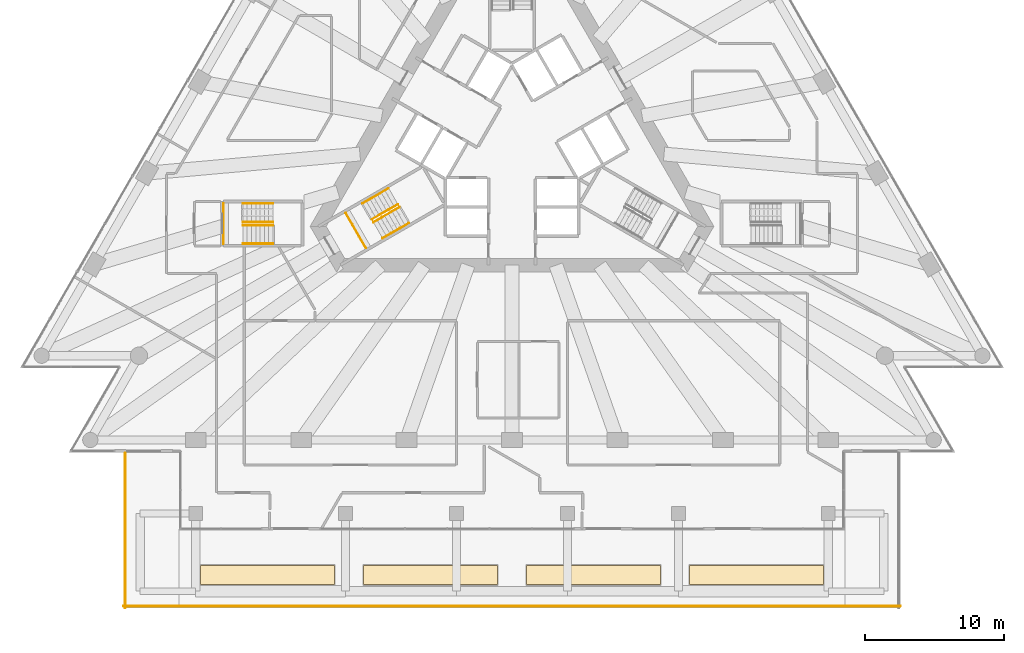
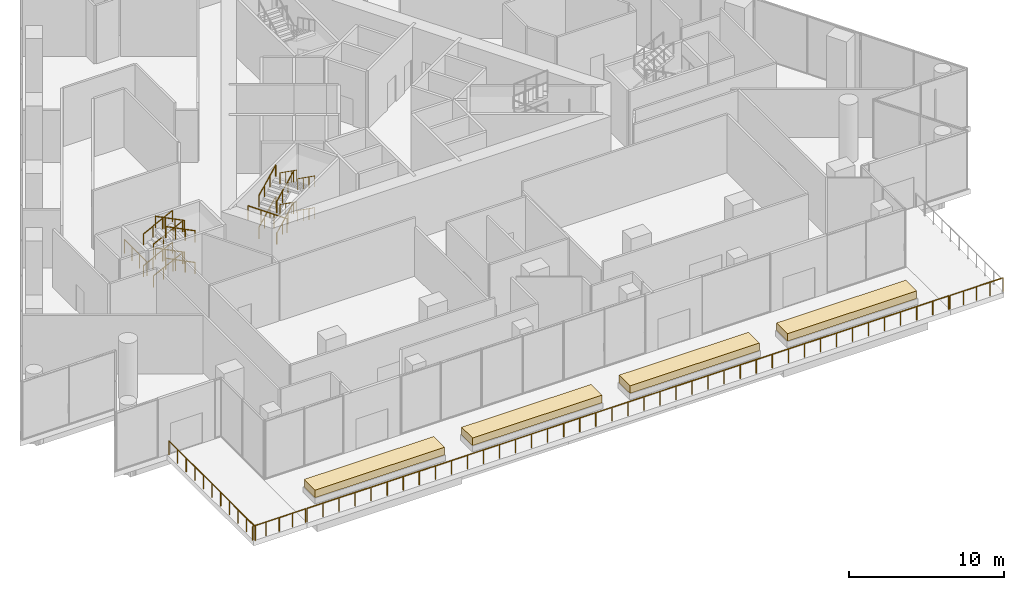
# One storey, part 31 of 32: 22 railings, 4 coverings, 2 elements without a shape of their own.
"""IFC4 building model written with IfcOpenShell, lengths in metres."""

from ifc_helpers import new_model, si_unit, direction, frame, origin, origin_2d, place, context, subcontext, project, spatial, polyline, circle, outline, extrude, material, layer, layer_set, type_object, element, aggregate, save


model = new_model("IFC4")

# Units and contexts
model_context = context("Model", 3, precision=1e-05, world=origin(), true_north=direction((0.0, 1.0)))
body_context = subcontext(model_context, "Body", "Model", "MODEL_VIEW")
ifc_project = project(units=[si_unit("LENGTHUNIT", "METRE"), si_unit("AREAUNIT", "SQUARE_METRE"), si_unit("VOLUMEUNIT", "CUBIC_METRE"), si_unit("PLANEANGLEUNIT", "RADIAN"), si_unit("MASSUNIT", "GRAM", prefix="KILO")], contexts=[model_context])

# Site, building, storey
site_placement = place(None, origin())
site = spatial("IfcSite", under=ifc_project, at=site_placement, CompositionType="ELEMENT")
building_placement = place(site_placement, origin())
building = spatial("IfcBuilding", under=site, at=building_placement, Name="Triada Interchange Tower", CompositionType="ELEMENT")
storey_placement = place(building_placement, frame((0.0, 0.0, 25.300048828125)))
storey = spatial("IfcBuildingStorey", under=building, at=storey_placement, Name="L04", CompositionType="ELEMENT", Elevation=25.300048828125)

# Coverings
ifc_material_1 = material(Name="Planting soil")
ifc_layer = layer(ifc_material_1, 0.60009765625)
ifc_layer_set = layer_set([ifc_layer], Name="Planting bed 600")
covering_type = type_object("IfcCoveringType", Name="Planting bed 600", PredefinedType="FLOORING", material=ifc_layer_set)
covering_1_placement = place(storey_placement, frame((0.0, 0.0, 0.449951171875)))
element("IfcCovering", 1, at=covering_1_placement, inside=storey, type_object=covering_type, Name="Planting bed PLANTER L04 16", PredefinedType="FLOORING", context=body_context, shape_type="SweptSolid", body=[
    extrude(outline(polyline([(-22.449951171875, -32.030029296875), (-12.800048828125, -32.030029296875), (-12.800048828125, -30.6298828125), (-22.449951171875, -30.6298828125), (-22.449951171875, -32.030029296875)])), origin(), (0.0, 0.0, 1.0), 0.60009765625),
])
covering_2_placement = place(storey_placement, frame((0.0, 0.0, 0.449951171875)))
element("IfcCovering", 2, at=covering_2_placement, inside=storey, type_object=covering_type, Name="Planting bed PLANTER L04 17", PredefinedType="FLOORING", context=body_context, shape_type="SweptSolid", body=[
    extrude(outline(polyline([(-10.699951171875, -32.030029296875), (-1.050048828125, -32.030029296875), (-1.050048828125, -30.6298828125), (-10.699951171875, -30.6298828125), (-10.699951171875, -32.030029296875)])), origin(), (0.0, 0.0, 1.0), 0.60009765625),
])
covering_3_placement = place(storey_placement, frame((0.0, 0.0, 0.449951171875)))
element("IfcCovering", 3, at=covering_3_placement, inside=storey, type_object=covering_type, Name="Planting bed PLANTER L04 18", PredefinedType="FLOORING", context=body_context, shape_type="SweptSolid", body=[
    extrude(outline(polyline([(1.050048828125, -32.030029296875), (10.699951171875, -32.030029296875), (10.699951171875, -30.6298828125), (1.050048828125, -30.6298828125), (1.050048828125, -32.030029296875)])), origin(), (0.0, 0.0, 1.0), 0.60009765625),
])
covering_4_placement = place(storey_placement, frame((0.0, 0.0, 0.449951171875)))
element("IfcCovering", 4, at=covering_4_placement, inside=storey, type_object=covering_type, Name="Planting bed PLANTER L04 19", PredefinedType="FLOORING", context=body_context, shape_type="SweptSolid", body=[
    extrude(outline(polyline([(12.800048828125, -32.030029296875), (22.449951171875, -32.030029296875), (22.449951171875, -30.6298828125), (12.800048828125, -30.6298828125), (12.800048828125, -32.030029296875)])), origin(), (0.0, 0.0, 1.0), 0.60009765625),
])

# Stair, railing
ifc_material_2 = material(Name="Concrete C35/45", Category="concrete")
stair_type = type_object("IfcStairType", Name="HALF TURN STAIR 1400", PredefinedType="HALF_TURN_STAIR", material=ifc_material_2)
stair_1_placement = place(storey_placement, origin())
stair_1 = element("IfcStair", 5, at=stair_1_placement, inside=storey, type_object=stair_type, Name="Exit stair S04-2", PredefinedType="HALF_TURN_STAIR")
ifc_material_3 = material(Name="Stainless steel 1.4301", Category="steel")
railing_type_1 = type_object("IfcRailingType", Name="STAIR GUARD 1100", PredefinedType="GUARDRAIL", material=ifc_material_3)
railing_1_placement = place(storey_placement, frame((-11.98291015625, -5.243896484375, 2.5)))
railing_1 = element("IfcRailing", 6, at=railing_1_placement, type_object=railing_type_1, Name="Guard S04-2 1", PredefinedType="GUARDRAIL", context=body_context, shape_type="SweptSolid", body=[
    extrude(circle(Radius=0.02392578125, at=origin_2d()), frame((0.0, 0.0, 1.076171875), z_axis=(0.499877891294, -0.866095891802, 0.0), x_axis=(0.866095891802, 0.499877891294, 0.0)), (0.0, 0.0, 1.0), 2.900634765625),
    extrude(circle(Radius=0.02099609375, at=origin_2d()), origin(), (0.0, 0.0, 1.0), 1.052001953125),
    extrude(circle(Radius=0.02099609375, at=origin_2d()), frame((0.4833984375, -0.83740234375, 0.0)), (0.0, 0.0, 1.0), 1.052001953125),
    extrude(circle(Radius=0.02099609375, at=origin_2d()), frame((0.966552734375, -1.6748046875, 0.0)), (0.0, 0.0, 1.0), 1.052001953125),
    extrude(circle(Radius=0.02099609375, at=origin_2d()), frame((1.449951171875, -2.51220703125, 0.0)), (0.0, 0.0, 1.0), 1.052001953125),
])

stair_2_placement = place(storey_placement, origin())
stair_2 = element("IfcStair", 7, at=stair_2_placement, inside=storey, type_object=stair_type, Name="Exit stair S04-6", PredefinedType="HALF_TURN_STAIR")
railing_2_placement = place(storey_placement, frame((-20.800048828125, -4.550048828125, 2.5)))
railing_2 = element("IfcRailing", 8, at=railing_2_placement, type_object=railing_type_1, Name="Guard S04-6 1", PredefinedType="GUARDRAIL", context=body_context, shape_type="SweptSolid", body=[
    extrude(circle(Radius=0.02392578125, at=origin_2d()), frame((0.0, 0.0, 1.076171875), z_axis=(0.0, -1.0, 0.0), x_axis=(1.0, 0.0, 0.0)), (0.0, 0.0, 1.0), 2.89990234375),
    extrude(circle(Radius=0.02099609375, at=origin_2d()), origin(), (0.0, 0.0, 1.0), 1.052001953125),
    extrude(circle(Radius=0.02099609375, at=origin_2d()), frame((0.0, -0.966552734375, 0.0)), (0.0, 0.0, 1.0), 1.052001953125),
    extrude(circle(Radius=0.02099609375, at=origin_2d()), frame((0.0, -1.933349609375, 0.0)), (0.0, 0.0, 1.0), 1.052001953125),
    extrude(circle(Radius=0.02099609375, at=origin_2d()), frame((0.0, -2.89990234375, 0.0)), (0.0, 0.0, 1.0), 1.052001953125),
])

# Railing
railing_type_2 = type_object("IfcRailingType", Name="STAIR HANDRAIL 900", PredefinedType="HANDRAIL", material=ifc_material_3)
railing_3_placement = place(storey_placement, frame((-10.77099609375, -4.5439453125, 0.15625)))
railing_3 = element("IfcRailing", 9, at=railing_3_placement, type_object=railing_type_2, Name="Handrail S04-2 1W", PredefinedType="HANDRAIL", context=body_context, shape_type="SweptSolid", body=[
    extrude(circle(Radius=0.02392578125, at=origin_2d()), frame((0.0, 0.0, 0.8759765625), z_axis=(0.773289848554, 0.446530676582, 0.450147936788), x_axis=(-0.500060114735, 0.865990693744, 0.0)), (0.0, 0.0, 1.0), 2.4296875),
    extrude(circle(Radius=0.02099609375, at=origin_2d()), origin(), (0.0, 0.0, 1.0), 0.851806640625),
    extrude(circle(Radius=0.02099609375, at=origin_2d()), frame((0.626220703125, 0.361572265625, 0.364501953125)), (0.0, 0.0, 1.0), 0.851806640625),
    extrude(circle(Radius=0.02099609375, at=origin_2d()), frame((1.252685546875, 0.723388671875, 0.729248046875)), (0.0, 0.0, 1.0), 0.851806640625),
    extrude(circle(Radius=0.02099609375, at=origin_2d()), frame((1.87890625, 1.0849609375, 1.09375)), (0.0, 0.0, 1.0), 0.851806640625),
])

railing_4_placement = place(storey_placement, frame((-10.10595703125, -5.696044921875, 0.15625)))
railing_4 = element("IfcRailing", 10, at=railing_4_placement, type_object=railing_type_2, Name="Handrail S04-2 1C", PredefinedType="HANDRAIL", context=body_context, shape_type="SweptSolid", body=[
    extrude(circle(Radius=0.02392578125, at=origin_2d()), frame((0.0, 0.0, 0.8759765625), z_axis=(0.773289848554, 0.446530676582, 0.450147936788), x_axis=(-0.500060114735, 0.865990693744, 0.0)), (0.0, 0.0, 1.0), 2.4296875),
    extrude(circle(Radius=0.02099609375, at=origin_2d()), origin(), (0.0, 0.0, 1.0), 0.851806640625),
    extrude(circle(Radius=0.02099609375, at=origin_2d()), frame((0.626220703125, 0.361572265625, 0.364501953125)), (0.0, 0.0, 1.0), 0.851806640625),
    extrude(circle(Radius=0.02099609375, at=origin_2d()), frame((1.252685546875, 0.723388671875, 0.729248046875)), (0.0, 0.0, 1.0), 0.851806640625),
    extrude(circle(Radius=0.02099609375, at=origin_2d()), frame((1.87890625, 1.0849609375, 1.09375)), (0.0, 0.0, 1.0), 0.851806640625),
])

railing_5_placement = place(storey_placement, frame((-7.44189453125, -5.970947265625, 1.40625)))
railing_5 = element("IfcRailing", 11, at=railing_5_placement, type_object=railing_type_2, Name="Handrail S04-2 2W", PredefinedType="HANDRAIL", context=body_context, shape_type="SweptSolid", body=[
    extrude(circle(Radius=0.02392578125, at=origin_2d()), frame((0.0, 0.0, 0.8759765625), z_axis=(-0.773330238877, -0.446495983055, 0.450112962215), x_axis=(0.500011390128, -0.866018827591, 0.0)), (0.0, 0.0, 1.0), 2.429931640625),
    extrude(circle(Radius=0.02099609375, at=origin_2d()), origin(), (0.0, 0.0, 1.0), 0.851806640625),
    extrude(circle(Radius=0.02099609375, at=origin_2d()), frame((-0.62646484375, -0.361572265625, 0.364501953125)), (0.0, 0.0, 1.0), 0.851806640625),
    extrude(circle(Radius=0.02099609375, at=origin_2d()), frame((-1.252685546875, -0.723388671875, 0.729248046875)), (0.0, 0.0, 1.0), 0.851806640625),
    extrude(circle(Radius=0.02099609375, at=origin_2d()), frame((-1.879150390625, -1.0849609375, 1.09375)), (0.0, 0.0, 1.0), 0.851806640625),
])

railing_6_placement = place(storey_placement, frame((-8.10693359375, -4.819091796875, 1.40625)))
railing_6 = element("IfcRailing", 12, at=railing_6_placement, type_object=railing_type_2, Name="Handrail S04-2 2C", PredefinedType="HANDRAIL", context=body_context, shape_type="SweptSolid", body=[
    extrude(circle(Radius=0.02392578125, at=origin_2d()), frame((0.0, 0.0, 0.8759765625), z_axis=(-0.773330238877, -0.446495983055, 0.450112962215), x_axis=(0.500011390128, -0.866018827591, 0.0)), (0.0, 0.0, 1.0), 2.429931640625),
    extrude(circle(Radius=0.02099609375, at=origin_2d()), origin(), (0.0, 0.0, 1.0), 0.851806640625),
    extrude(circle(Radius=0.02099609375, at=origin_2d()), frame((-0.62646484375, -0.361572265625, 0.364501953125)), (0.0, 0.0, 1.0), 0.851806640625),
    extrude(circle(Radius=0.02099609375, at=origin_2d()), frame((-1.252685546875, -0.723388671875, 0.729248046875)), (0.0, 0.0, 1.0), 0.851806640625),
    extrude(circle(Radius=0.02099609375, at=origin_2d()), frame((-1.879150390625, -1.0849609375, 1.09375)), (0.0, 0.0, 1.0), 0.851806640625),
])

railing_7_placement = place(storey_placement, frame((-10.77099609375, -4.5439453125, 2.65625)))
railing_7 = element("IfcRailing", 13, at=railing_7_placement, type_object=railing_type_2, Name="Handrail S04-2 3W", PredefinedType="HANDRAIL", context=body_context, shape_type="SweptSolid", body=[
    extrude(circle(Radius=0.02392578125, at=origin_2d()), frame((0.0, 0.0, 0.8759765625), z_axis=(0.773289848554, 0.446530676582, 0.450147936788), x_axis=(-0.500060114735, 0.865990693744, 0.0)), (0.0, 0.0, 1.0), 2.4296875),
    extrude(circle(Radius=0.02099609375, at=origin_2d()), origin(), (0.0, 0.0, 1.0), 0.851806640625),
    extrude(circle(Radius=0.02099609375, at=origin_2d()), frame((0.626220703125, 0.361572265625, 0.364501953125)), (0.0, 0.0, 1.0), 0.851806640625),
    extrude(circle(Radius=0.02099609375, at=origin_2d()), frame((1.252685546875, 0.723388671875, 0.729248046875)), (0.0, 0.0, 1.0), 0.851806640625),
    extrude(circle(Radius=0.02099609375, at=origin_2d()), frame((1.87890625, 1.0849609375, 1.09375)), (0.0, 0.0, 1.0), 0.851806640625),
])

railing_8_placement = place(storey_placement, frame((-10.10595703125, -5.696044921875, 2.65625)))
railing_8 = element("IfcRailing", 14, at=railing_8_placement, type_object=railing_type_2, Name="Handrail S04-2 3C", PredefinedType="HANDRAIL", context=body_context, shape_type="SweptSolid", body=[
    extrude(circle(Radius=0.02392578125, at=origin_2d()), frame((0.0, 0.0, 0.8759765625), z_axis=(0.773289848554, 0.446530676582, 0.450147936788), x_axis=(-0.500060114735, 0.865990693744, 0.0)), (0.0, 0.0, 1.0), 2.4296875),
    extrude(circle(Radius=0.02099609375, at=origin_2d()), origin(), (0.0, 0.0, 1.0), 0.851806640625),
    extrude(circle(Radius=0.02099609375, at=origin_2d()), frame((0.626220703125, 0.361572265625, 0.364501953125)), (0.0, 0.0, 1.0), 0.851806640625),
    extrude(circle(Radius=0.02099609375, at=origin_2d()), frame((1.252685546875, 0.723388671875, 0.729248046875)), (0.0, 0.0, 1.0), 0.851806640625),
    extrude(circle(Radius=0.02099609375, at=origin_2d()), frame((1.87890625, 1.0849609375, 1.09375)), (0.0, 0.0, 1.0), 0.851806640625),
])

railing_9_placement = place(storey_placement, frame((-7.44189453125, -5.970947265625, 3.90625)))
railing_9 = element("IfcRailing", 15, at=railing_9_placement, type_object=railing_type_2, Name="Handrail S04-2 4W", PredefinedType="HANDRAIL", context=body_context, shape_type="SweptSolid", body=[
    extrude(circle(Radius=0.02392578125, at=origin_2d()), frame((0.0, 0.0, 0.8759765625), z_axis=(-0.773330238877, -0.446495983055, 0.450112962215), x_axis=(0.500011390128, -0.866018827591, 0.0)), (0.0, 0.0, 1.0), 2.429931640625),
    extrude(circle(Radius=0.02099609375, at=origin_2d()), origin(), (0.0, 0.0, 1.0), 0.851806640625),
    extrude(circle(Radius=0.02099609375, at=origin_2d()), frame((-0.62646484375, -0.361572265625, 0.364501953125)), (0.0, 0.0, 1.0), 0.851806640625),
    extrude(circle(Radius=0.02099609375, at=origin_2d()), frame((-1.252685546875, -0.723388671875, 0.729248046875)), (0.0, 0.0, 1.0), 0.851806640625),
    extrude(circle(Radius=0.02099609375, at=origin_2d()), frame((-1.879150390625, -1.0849609375, 1.09375)), (0.0, 0.0, 1.0), 0.851806640625),
])

railing_10_placement = place(storey_placement, frame((-8.10693359375, -4.819091796875, 3.90625)))
railing_10 = element("IfcRailing", 16, at=railing_10_placement, type_object=railing_type_2, Name="Handrail S04-2 4C", PredefinedType="HANDRAIL", context=body_context, shape_type="SweptSolid", body=[
    extrude(circle(Radius=0.02392578125, at=origin_2d()), frame((0.0, 0.0, 0.8759765625), z_axis=(-0.773330238877, -0.446495983055, 0.450112962215), x_axis=(0.500011390128, -0.866018827591, 0.0)), (0.0, 0.0, 1.0), 2.429931640625),
    extrude(circle(Radius=0.02099609375, at=origin_2d()), origin(), (0.0, 0.0, 1.0), 0.851806640625),
    extrude(circle(Radius=0.02099609375, at=origin_2d()), frame((-0.62646484375, -0.361572265625, 0.364501953125)), (0.0, 0.0, 1.0), 0.851806640625),
    extrude(circle(Radius=0.02099609375, at=origin_2d()), frame((-1.252685546875, -0.723388671875, 0.729248046875)), (0.0, 0.0, 1.0), 0.851806640625),
    extrude(circle(Radius=0.02099609375, at=origin_2d()), frame((-1.879150390625, -1.0849609375, 1.09375)), (0.0, 0.0, 1.0), 0.851806640625),
])

aggregate(stair_1, [railing_3, railing_4, railing_5, railing_6, railing_7, railing_8, railing_9, railing_10, railing_1])

railing_11_placement = place(storey_placement, frame((-19.39990234375, -4.550048828125, 0.15625)))
railing_11 = element("IfcRailing", 17, at=railing_11_placement, type_object=railing_type_2, Name="Handrail S04-6 1W", PredefinedType="HANDRAIL", context=body_context, shape_type="SweptSolid", body=[
    extrude(circle(Radius=0.02392578125, at=origin_2d()), frame((0.0, 0.0, 0.8759765625), z_axis=(0.892975745223, 0.0, 0.450104786071), x_axis=(0.0, 1.0, 0.0)), (0.0, 0.0, 1.0), 2.429931640625),
    extrude(circle(Radius=0.02099609375, at=origin_2d()), origin(), (0.0, 0.0, 1.0), 0.851806640625),
    extrude(circle(Radius=0.02099609375, at=origin_2d()), frame((0.723388671875, 0.0, 0.364501953125)), (0.0, 0.0, 1.0), 0.851806640625),
    extrude(circle(Radius=0.02099609375, at=origin_2d()), frame((1.446533203125, 0.0, 0.729248046875)), (0.0, 0.0, 1.0), 0.851806640625),
    extrude(circle(Radius=0.02099609375, at=origin_2d()), frame((2.169921875, 0.0, 1.09375)), (0.0, 0.0, 1.0), 0.851806640625),
])

railing_12_placement = place(storey_placement, frame((-19.39990234375, -5.8798828125, 0.15625)))
railing_12 = element("IfcRailing", 18, at=railing_12_placement, type_object=railing_type_2, Name="Handrail S04-6 1C", PredefinedType="HANDRAIL", context=body_context, shape_type="SweptSolid", body=[
    extrude(circle(Radius=0.02392578125, at=origin_2d()), frame((0.0, 0.0, 0.8759765625), z_axis=(0.892975745223, 0.0, 0.450104786071), x_axis=(0.0, 1.0, 0.0)), (0.0, 0.0, 1.0), 2.429931640625),
    extrude(circle(Radius=0.02099609375, at=origin_2d()), origin(), (0.0, 0.0, 1.0), 0.851806640625),
    extrude(circle(Radius=0.02099609375, at=origin_2d()), frame((0.723388671875, 0.0, 0.364501953125)), (0.0, 0.0, 1.0), 0.851806640625),
    extrude(circle(Radius=0.02099609375, at=origin_2d()), frame((1.446533203125, 0.0, 0.729248046875)), (0.0, 0.0, 1.0), 0.851806640625),
    extrude(circle(Radius=0.02099609375, at=origin_2d()), frame((2.169921875, 0.0, 1.09375)), (0.0, 0.0, 1.0), 0.851806640625),
])

railing_13_placement = place(storey_placement, frame((-17.22998046875, -7.449951171875, 1.40625)))
railing_13 = element("IfcRailing", 19, at=railing_13_placement, type_object=railing_type_2, Name="Handrail S04-6 2W", PredefinedType="HANDRAIL", context=body_context, shape_type="SweptSolid", body=[
    extrude(circle(Radius=0.02392578125, at=origin_2d()), frame((0.0, 0.0, 0.8759765625), z_axis=(-0.892975745223, 0.0, 0.450104786071), x_axis=(0.0, -1.0, 0.0)), (0.0, 0.0, 1.0), 2.429931640625),
    extrude(circle(Radius=0.02099609375, at=origin_2d()), origin(), (0.0, 0.0, 1.0), 0.851806640625),
    extrude(circle(Radius=0.02099609375, at=origin_2d()), frame((-0.723388671875, 0.0, 0.364501953125)), (0.0, 0.0, 1.0), 0.851806640625),
    extrude(circle(Radius=0.02099609375, at=origin_2d()), frame((-1.446533203125, 0.0, 0.729248046875)), (0.0, 0.0, 1.0), 0.851806640625),
    extrude(circle(Radius=0.02099609375, at=origin_2d()), frame((-2.169921875, 0.0, 1.09375)), (0.0, 0.0, 1.0), 0.851806640625),
])

railing_14_placement = place(storey_placement, frame((-17.22998046875, -6.1201171875, 1.40625)))
railing_14 = element("IfcRailing", 20, at=railing_14_placement, type_object=railing_type_2, Name="Handrail S04-6 2C", PredefinedType="HANDRAIL", context=body_context, shape_type="SweptSolid", body=[
    extrude(circle(Radius=0.02392578125, at=origin_2d()), frame((0.0, 0.0, 0.8759765625), z_axis=(-0.892975745223, 0.0, 0.450104786071), x_axis=(0.0, -1.0, 0.0)), (0.0, 0.0, 1.0), 2.429931640625),
    extrude(circle(Radius=0.02099609375, at=origin_2d()), origin(), (0.0, 0.0, 1.0), 0.851806640625),
    extrude(circle(Radius=0.02099609375, at=origin_2d()), frame((-0.723388671875, 0.0, 0.364501953125)), (0.0, 0.0, 1.0), 0.851806640625),
    extrude(circle(Radius=0.02099609375, at=origin_2d()), frame((-1.446533203125, 0.0, 0.729248046875)), (0.0, 0.0, 1.0), 0.851806640625),
    extrude(circle(Radius=0.02099609375, at=origin_2d()), frame((-2.169921875, 0.0, 1.09375)), (0.0, 0.0, 1.0), 0.851806640625),
])

railing_15_placement = place(storey_placement, frame((-19.39990234375, -4.550048828125, 2.65625)))
railing_15 = element("IfcRailing", 21, at=railing_15_placement, type_object=railing_type_2, Name="Handrail S04-6 3W", PredefinedType="HANDRAIL", context=body_context, shape_type="SweptSolid", body=[
    extrude(circle(Radius=0.02392578125, at=origin_2d()), frame((0.0, 0.0, 0.8759765625), z_axis=(0.892975745223, 0.0, 0.450104786071), x_axis=(0.0, 1.0, 0.0)), (0.0, 0.0, 1.0), 2.429931640625),
    extrude(circle(Radius=0.02099609375, at=origin_2d()), origin(), (0.0, 0.0, 1.0), 0.851806640625),
    extrude(circle(Radius=0.02099609375, at=origin_2d()), frame((0.723388671875, 0.0, 0.364501953125)), (0.0, 0.0, 1.0), 0.851806640625),
    extrude(circle(Radius=0.02099609375, at=origin_2d()), frame((1.446533203125, 0.0, 0.729248046875)), (0.0, 0.0, 1.0), 0.851806640625),
    extrude(circle(Radius=0.02099609375, at=origin_2d()), frame((2.169921875, 0.0, 1.09375)), (0.0, 0.0, 1.0), 0.851806640625),
])

railing_16_placement = place(storey_placement, frame((-19.39990234375, -5.8798828125, 2.65625)))
railing_16 = element("IfcRailing", 22, at=railing_16_placement, type_object=railing_type_2, Name="Handrail S04-6 3C", PredefinedType="HANDRAIL", context=body_context, shape_type="SweptSolid", body=[
    extrude(circle(Radius=0.02392578125, at=origin_2d()), frame((0.0, 0.0, 0.8759765625), z_axis=(0.892975745223, 0.0, 0.450104786071), x_axis=(0.0, 1.0, 0.0)), (0.0, 0.0, 1.0), 2.429931640625),
    extrude(circle(Radius=0.02099609375, at=origin_2d()), origin(), (0.0, 0.0, 1.0), 0.851806640625),
    extrude(circle(Radius=0.02099609375, at=origin_2d()), frame((0.723388671875, 0.0, 0.364501953125)), (0.0, 0.0, 1.0), 0.851806640625),
    extrude(circle(Radius=0.02099609375, at=origin_2d()), frame((1.446533203125, 0.0, 0.729248046875)), (0.0, 0.0, 1.0), 0.851806640625),
    extrude(circle(Radius=0.02099609375, at=origin_2d()), frame((2.169921875, 0.0, 1.09375)), (0.0, 0.0, 1.0), 0.851806640625),
])

railing_17_placement = place(storey_placement, frame((-17.22998046875, -7.449951171875, 3.90625)))
railing_17 = element("IfcRailing", 23, at=railing_17_placement, type_object=railing_type_2, Name="Handrail S04-6 4W", PredefinedType="HANDRAIL", context=body_context, shape_type="SweptSolid", body=[
    extrude(circle(Radius=0.02392578125, at=origin_2d()), frame((0.0, 0.0, 0.8759765625), z_axis=(-0.892975745223, 0.0, 0.450104786071), x_axis=(0.0, -1.0, 0.0)), (0.0, 0.0, 1.0), 2.429931640625),
    extrude(circle(Radius=0.02099609375, at=origin_2d()), origin(), (0.0, 0.0, 1.0), 0.851806640625),
    extrude(circle(Radius=0.02099609375, at=origin_2d()), frame((-0.723388671875, 0.0, 0.364501953125)), (0.0, 0.0, 1.0), 0.851806640625),
    extrude(circle(Radius=0.02099609375, at=origin_2d()), frame((-1.446533203125, 0.0, 0.729248046875)), (0.0, 0.0, 1.0), 0.851806640625),
    extrude(circle(Radius=0.02099609375, at=origin_2d()), frame((-2.169921875, 0.0, 1.09375)), (0.0, 0.0, 1.0), 0.851806640625),
])

railing_18_placement = place(storey_placement, frame((-17.22998046875, -6.1201171875, 3.90625)))
railing_18 = element("IfcRailing", 24, at=railing_18_placement, type_object=railing_type_2, Name="Handrail S04-6 4C", PredefinedType="HANDRAIL", context=body_context, shape_type="SweptSolid", body=[
    extrude(circle(Radius=0.02392578125, at=origin_2d()), frame((0.0, 0.0, 0.8759765625), z_axis=(-0.892975745223, 0.0, 0.450104786071), x_axis=(0.0, -1.0, 0.0)), (0.0, 0.0, 1.0), 2.429931640625),
    extrude(circle(Radius=0.02099609375, at=origin_2d()), origin(), (0.0, 0.0, 1.0), 0.851806640625),
    extrude(circle(Radius=0.02099609375, at=origin_2d()), frame((-0.723388671875, 0.0, 0.364501953125)), (0.0, 0.0, 1.0), 0.851806640625),
    extrude(circle(Radius=0.02099609375, at=origin_2d()), frame((-1.446533203125, 0.0, 0.729248046875)), (0.0, 0.0, 1.0), 0.851806640625),
    extrude(circle(Radius=0.02099609375, at=origin_2d()), frame((-2.169921875, 0.0, 1.09375)), (0.0, 0.0, 1.0), 0.851806640625),
])

aggregate(stair_2, [railing_11, railing_12, railing_13, railing_14, railing_15, railing_16, railing_17, railing_18, railing_2])

# Railings
railing_type_3 = type_object("IfcRailingType", Name="Terrace guard 1100", PredefinedType="GUARDRAIL", material=ifc_material_3)
railing_19_placement = place(storey_placement, frame((-28.0, -33.580078125, 0.0)))
element("IfcRailing", 25, at=railing_19_placement, inside=storey, type_object=railing_type_3, Name="Guard L04 terrace 20", PredefinedType="GUARDRAIL", context=body_context, shape_type="SweptSolid", body=[
    extrude(circle(Radius=0.02392578125, at=origin_2d()), frame((0.0, 0.0, 1.076171875), z_axis=(1.0, 0.0, 0.0), x_axis=(0.0, 1.0, 0.0)), (0.0, 0.0, 1.0), 3.949951171875),
    extrude(circle(Radius=0.02099609375, at=origin_2d()), origin(), (0.0, 0.0, 1.0), 1.052001953125),
    extrude(circle(Radius=0.02099609375, at=origin_2d()), frame((0.987548828125, 0.0, 0.0)), (0.0, 0.0, 1.0), 1.052001953125),
    extrude(circle(Radius=0.02099609375, at=origin_2d()), frame((1.97509765625, 0.0, 0.0)), (0.0, 0.0, 1.0), 1.052001953125),
    extrude(circle(Radius=0.02099609375, at=origin_2d()), frame((2.96240234375, 0.0, 0.0)), (0.0, 0.0, 1.0), 1.052001953125),
    extrude(circle(Radius=0.02099609375, at=origin_2d()), frame((3.949951171875, 0.0, 0.0)), (0.0, 0.0, 1.0), 1.052001953125),
])
railing_20_placement = place(storey_placement, frame((-27.8798828125, -22.550048828125, 0.0)))
element("IfcRailing", 26, at=railing_20_placement, inside=storey, type_object=railing_type_3, Name="Guard L04 terrace 21", PredefinedType="GUARDRAIL", context=body_context, shape_type="SweptSolid", body=[
    extrude(circle(Radius=0.02392578125, at=origin_2d()), frame((0.0, 0.0, 1.076171875), z_axis=(0.0, -1.0, 0.0), x_axis=(1.0, 0.0, 0.0)), (0.0, 0.0, 1.0), 11.14990234375),
    extrude(circle(Radius=0.02099609375, at=origin_2d()), origin(), (0.0, 0.0, 1.0), 1.052001953125),
    extrude(circle(Radius=0.02099609375, at=origin_2d()), frame((0.0, -1.114990234375, 0.0)), (0.0, 0.0, 1.0), 1.052001953125),
    extrude(circle(Radius=0.02099609375, at=origin_2d()), frame((0.0, -2.22998046875, 0.0)), (0.0, 0.0, 1.0), 1.052001953125),
    extrude(circle(Radius=0.02099609375, at=origin_2d()), frame((0.0, -3.344970703125, 0.0)), (0.0, 0.0, 1.0), 1.052001953125),
    extrude(circle(Radius=0.02099609375, at=origin_2d()), frame((0.0, -4.4599609375, 0.0)), (0.0, 0.0, 1.0), 1.052001953125),
    extrude(circle(Radius=0.02099609375, at=origin_2d()), frame((0.0, -5.574951171875, 0.0)), (0.0, 0.0, 1.0), 1.052001953125),
    extrude(circle(Radius=0.02099609375, at=origin_2d()), frame((0.0, -6.68994140625, 0.0)), (0.0, 0.0, 1.0), 1.052001953125),
    extrude(circle(Radius=0.02099609375, at=origin_2d()), frame((0.0, -7.804931640625, 0.0)), (0.0, 0.0, 1.0), 1.052001953125),
    extrude(circle(Radius=0.02099609375, at=origin_2d()), frame((0.0, -8.919921875, 0.0)), (0.0, 0.0, 1.0), 1.052001953125),
    extrude(circle(Radius=0.02099609375, at=origin_2d()), frame((0.0, -10.034912109375, 0.0)), (0.0, 0.0, 1.0), 1.052001953125),
    extrude(circle(Radius=0.02099609375, at=origin_2d()), frame((0.0, -11.14990234375, 0.0)), (0.0, 0.0, 1.0), 1.052001953125),
])
railing_21_placement = place(storey_placement, frame((24.050048828125, -33.580078125, 0.0)))
element("IfcRailing", 27, at=railing_21_placement, inside=storey, type_object=railing_type_3, Name="Guard L04 terrace 22", PredefinedType="GUARDRAIL", context=body_context, shape_type="SweptSolid", body=[
    extrude(circle(Radius=0.02392578125, at=origin_2d()), frame((0.0, 0.0, 1.076171875), z_axis=(1.0, 0.0, 0.0), x_axis=(0.0, 1.0, 0.0)), (0.0, 0.0, 1.0), 3.949951171875),
    extrude(circle(Radius=0.02099609375, at=origin_2d()), origin(), (0.0, 0.0, 1.0), 1.052001953125),
    extrude(circle(Radius=0.02099609375, at=origin_2d()), frame((0.987548828125, 0.0, 0.0)), (0.0, 0.0, 1.0), 1.052001953125),
    extrude(circle(Radius=0.02099609375, at=origin_2d()), frame((1.97509765625, 0.0, 0.0)), (0.0, 0.0, 1.0), 1.052001953125),
    extrude(circle(Radius=0.02099609375, at=origin_2d()), frame((2.96240234375, 0.0, 0.0)), (0.0, 0.0, 1.0), 1.052001953125),
    extrude(circle(Radius=0.02099609375, at=origin_2d()), frame((3.949951171875, 0.0, 0.0)), (0.0, 0.0, 1.0), 1.052001953125),
])
railing_22_placement = place(storey_placement, frame((-23.949951171875, -33.580078125, 0.0)))
element("IfcRailing", 28, at=railing_22_placement, inside=storey, type_object=railing_type_3, Name="Guard L04 terrace 24", PredefinedType="GUARDRAIL", context=body_context, shape_type="SweptSolid", body=[
    extrude(circle(Radius=0.02392578125, at=origin_2d()), frame((0.0, 0.0, 1.076171875), z_axis=(1.0, 0.0, 0.0), x_axis=(0.0, 1.0, 0.0)), (0.0, 0.0, 1.0), 47.89990234375),
    extrude(circle(Radius=0.02099609375, at=origin_2d()), origin(), (0.0, 0.0, 1.0), 1.052001953125),
    extrude(circle(Radius=0.02099609375, at=origin_2d()), frame((1.197509765625, 0.0, 0.0)), (0.0, 0.0, 1.0), 1.052001953125),
    extrude(circle(Radius=0.02099609375, at=origin_2d()), frame((2.39501953125, 0.0, 0.0)), (0.0, 0.0, 1.0), 1.052001953125),
    extrude(circle(Radius=0.02099609375, at=origin_2d()), frame((3.592529296875, 0.0, 0.0)), (0.0, 0.0, 1.0), 1.052001953125),
    extrude(circle(Radius=0.02099609375, at=origin_2d()), frame((4.7900390625, 0.0, 0.0)), (0.0, 0.0, 1.0), 1.052001953125),
    extrude(circle(Radius=0.02099609375, at=origin_2d()), frame((5.987548828125, 0.0, 0.0)), (0.0, 0.0, 1.0), 1.052001953125),
    extrude(circle(Radius=0.02099609375, at=origin_2d()), frame((7.18505859375, 0.0, 0.0)), (0.0, 0.0, 1.0), 1.052001953125),
    extrude(circle(Radius=0.02099609375, at=origin_2d()), frame((8.382568359375, 0.0, 0.0)), (0.0, 0.0, 1.0), 1.052001953125),
    extrude(circle(Radius=0.02099609375, at=origin_2d()), frame((9.580078125, 0.0, 0.0)), (0.0, 0.0, 1.0), 1.052001953125),
    extrude(circle(Radius=0.02099609375, at=origin_2d()), frame((10.777587890625, 0.0, 0.0)), (0.0, 0.0, 1.0), 1.052001953125),
    extrude(circle(Radius=0.02099609375, at=origin_2d()), frame((11.97509765625, 0.0, 0.0)), (0.0, 0.0, 1.0), 1.052001953125),
    extrude(circle(Radius=0.02099609375, at=origin_2d()), frame((13.17236328125, 0.0, 0.0)), (0.0, 0.0, 1.0), 1.052001953125),
    extrude(circle(Radius=0.02099609375, at=origin_2d()), frame((14.369873046875, 0.0, 0.0)), (0.0, 0.0, 1.0), 1.052001953125),
    extrude(circle(Radius=0.02099609375, at=origin_2d()), frame((15.5673828125, 0.0, 0.0)), (0.0, 0.0, 1.0), 1.052001953125),
    extrude(circle(Radius=0.02099609375, at=origin_2d()), frame((16.764892578125, 0.0, 0.0)), (0.0, 0.0, 1.0), 1.052001953125),
    extrude(circle(Radius=0.02099609375, at=origin_2d()), frame((17.96240234375, 0.0, 0.0)), (0.0, 0.0, 1.0), 1.052001953125),
    extrude(circle(Radius=0.02099609375, at=origin_2d()), frame((19.159912109375, 0.0, 0.0)), (0.0, 0.0, 1.0), 1.052001953125),
    extrude(circle(Radius=0.02099609375, at=origin_2d()), frame((20.357421875, 0.0, 0.0)), (0.0, 0.0, 1.0), 1.052001953125),
    extrude(circle(Radius=0.02099609375, at=origin_2d()), frame((21.554931640625, 0.0, 0.0)), (0.0, 0.0, 1.0), 1.052001953125),
    extrude(circle(Radius=0.02099609375, at=origin_2d()), frame((22.75244140625, 0.0, 0.0)), (0.0, 0.0, 1.0), 1.052001953125),
    extrude(circle(Radius=0.02099609375, at=origin_2d()), frame((23.949951171875, 0.0, 0.0)), (0.0, 0.0, 1.0), 1.052001953125),
    extrude(circle(Radius=0.02099609375, at=origin_2d()), frame((25.1474609375, 0.0, 0.0)), (0.0, 0.0, 1.0), 1.052001953125),
    extrude(circle(Radius=0.02099609375, at=origin_2d()), frame((26.344970703125, 0.0, 0.0)), (0.0, 0.0, 1.0), 1.052001953125),
    extrude(circle(Radius=0.02099609375, at=origin_2d()), frame((27.54248046875, 0.0, 0.0)), (0.0, 0.0, 1.0), 1.052001953125),
    extrude(circle(Radius=0.02099609375, at=origin_2d()), frame((28.739990234375, 0.0, 0.0)), (0.0, 0.0, 1.0), 1.052001953125),
    extrude(circle(Radius=0.02099609375, at=origin_2d()), frame((29.9375, 0.0, 0.0)), (0.0, 0.0, 1.0), 1.052001953125),
    extrude(circle(Radius=0.02099609375, at=origin_2d()), frame((31.135009765625, 0.0, 0.0)), (0.0, 0.0, 1.0), 1.052001953125),
    extrude(circle(Radius=0.02099609375, at=origin_2d()), frame((32.33251953125, 0.0, 0.0)), (0.0, 0.0, 1.0), 1.052001953125),
    extrude(circle(Radius=0.02099609375, at=origin_2d()), frame((33.530029296875, 0.0, 0.0)), (0.0, 0.0, 1.0), 1.052001953125),
    extrude(circle(Radius=0.02099609375, at=origin_2d()), frame((34.7275390625, 0.0, 0.0)), (0.0, 0.0, 1.0), 1.052001953125),
    extrude(circle(Radius=0.02099609375, at=origin_2d()), frame((35.9248046875, 0.0, 0.0)), (0.0, 0.0, 1.0), 1.052001953125),
    extrude(circle(Radius=0.02099609375, at=origin_2d()), frame((37.122314453125, 0.0, 0.0)), (0.0, 0.0, 1.0), 1.052001953125),
    extrude(circle(Radius=0.02099609375, at=origin_2d()), frame((38.31982421875, 0.0, 0.0)), (0.0, 0.0, 1.0), 1.052001953125),
    extrude(circle(Radius=0.02099609375, at=origin_2d()), frame((39.517333984375, 0.0, 0.0)), (0.0, 0.0, 1.0), 1.052001953125),
    extrude(circle(Radius=0.02099609375, at=origin_2d()), frame((40.71484375, 0.0, 0.0)), (0.0, 0.0, 1.0), 1.052001953125),
    extrude(circle(Radius=0.02099609375, at=origin_2d()), frame((41.912353515625, 0.0, 0.0)), (0.0, 0.0, 1.0), 1.052001953125),
    extrude(circle(Radius=0.02099609375, at=origin_2d()), frame((43.10986328125, 0.0, 0.0)), (0.0, 0.0, 1.0), 1.052001953125),
    extrude(circle(Radius=0.02099609375, at=origin_2d()), frame((44.307373046875, 0.0, 0.0)), (0.0, 0.0, 1.0), 1.052001953125),
    extrude(circle(Radius=0.02099609375, at=origin_2d()), frame((45.5048828125, 0.0, 0.0)), (0.0, 0.0, 1.0), 1.052001953125),
    extrude(circle(Radius=0.02099609375, at=origin_2d()), frame((46.702392578125, 0.0, 0.0)), (0.0, 0.0, 1.0), 1.052001953125),
    extrude(circle(Radius=0.02099609375, at=origin_2d()), frame((47.89990234375, 0.0, 0.0)), (0.0, 0.0, 1.0), 1.052001953125),
])

save(model, "model.ifc")
